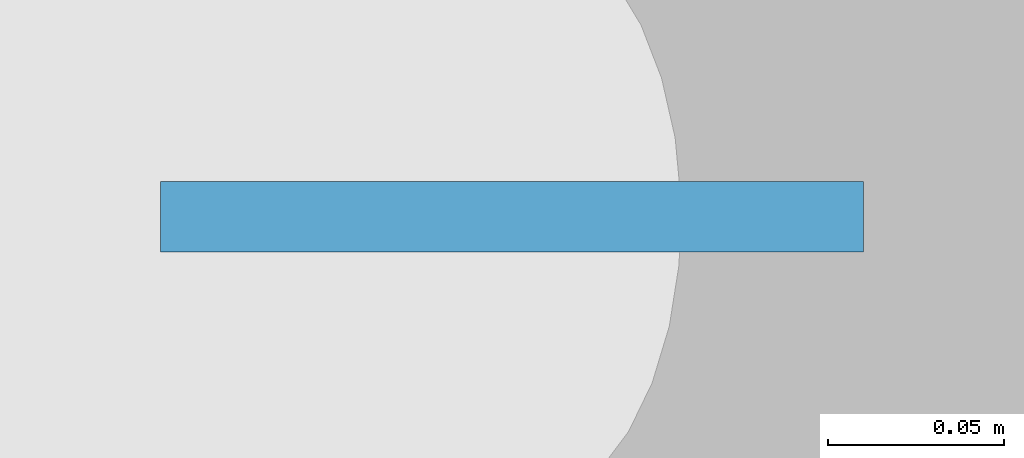
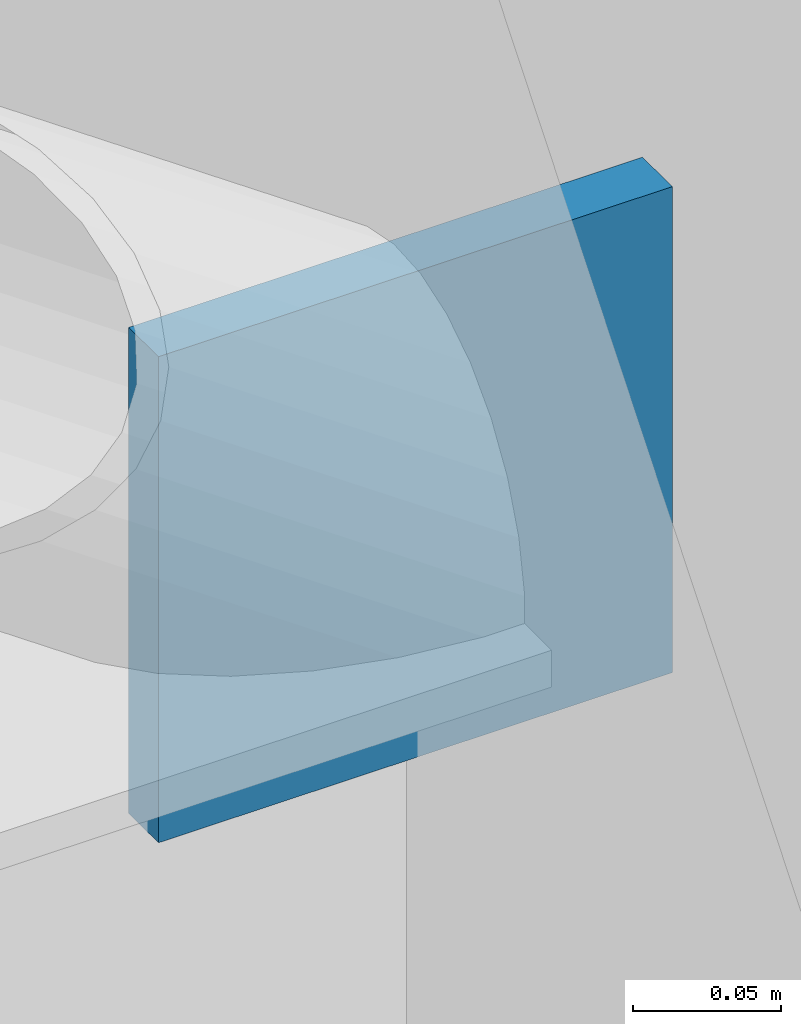
# One storey, part 15 of 35: 1 plate.
"""IFC4 building model written with IfcOpenShell, lengths in metres."""

from ifc_helpers import new_model, si_unit, direction, frame, origin, origin_2d, place, context, subcontext, project, spatial, rectangle, extrude, material, layer, layer_set, type_object, element, save


model = new_model("IFC4")

# Units and contexts
model_context = context("Model", 3, precision=1e-05, world=origin(), true_north=direction((0.0, 1.0)))
body_context = subcontext(model_context, "Body", "Model", "MODEL_VIEW")
ifc_project = project(units=[si_unit("LENGTHUNIT", "METRE"), si_unit("AREAUNIT", "SQUARE_METRE"), si_unit("VOLUMEUNIT", "CUBIC_METRE"), si_unit("PLANEANGLEUNIT", "RADIAN"), si_unit("MASSUNIT", "GRAM", prefix="KILO")], contexts=[model_context])

# Site, building, storey
site_placement = place(None, origin())
site = spatial("IfcSite", under=ifc_project, at=site_placement, CompositionType="ELEMENT")
building_placement = place(site_placement, origin())
building = spatial("IfcBuilding", under=site, at=building_placement, Name="Kiln Ring Residences", CompositionType="ELEMENT")
storey_placement = place(building_placement, frame((0.0, 0.0, 20.89990234375)))
storey = spatial("IfcBuildingStorey", under=building, at=storey_placement, Name="L04", CompositionType="ELEMENT", Elevation=20.89990234375)

# Plate
ifc_material = material(Name="Steel S460", Category="steel")
ifc_layer = layer(ifc_material, 0.02001953125)
ifc_layer_set = layer_set([ifc_layer], Name="Brace gusset plate 20")
plate_type = type_object("IfcPlateType", Name="Brace gusset plate 20", PredefinedType="SHEET", material=ifc_layer_set)
plate_placement = place(storey_placement, frame((11.60009765625, -127.300048828125, 3.125), z_axis=(0.0, 0.0, 1.0), x_axis=(1.0, 0.0, 0.0)))
element("IfcPlate", 1, at=plate_placement, inside=storey, type_object=plate_type, Name="Brace gusset plate 6.8", PredefinedType="SHEET", context=body_context, shape_type="SweptSolid", body=[
    extrude(rectangle(XDim=0.199951171875, YDim=0.02001953125, at=origin_2d()), origin(), (0.0, 0.0, 1.0), 0.199951171875),
])

save(model, "model.ifc")
